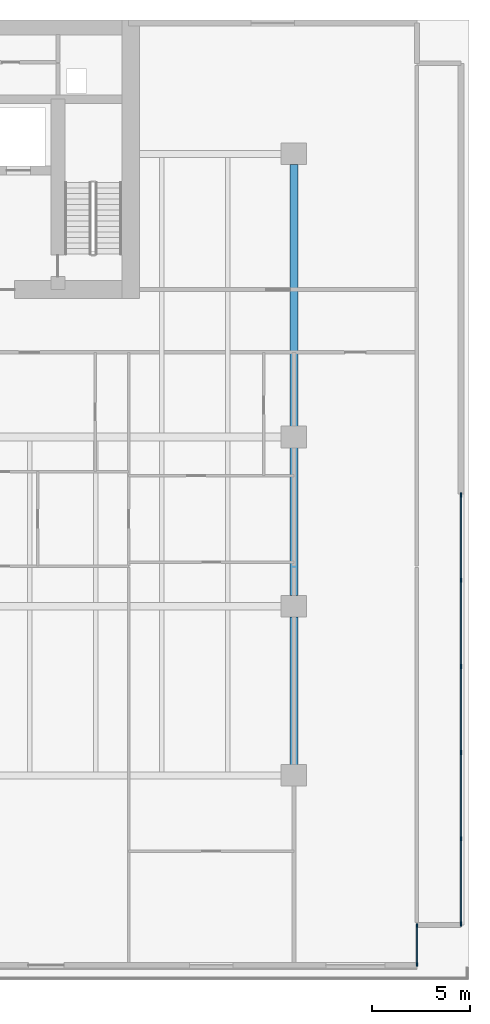
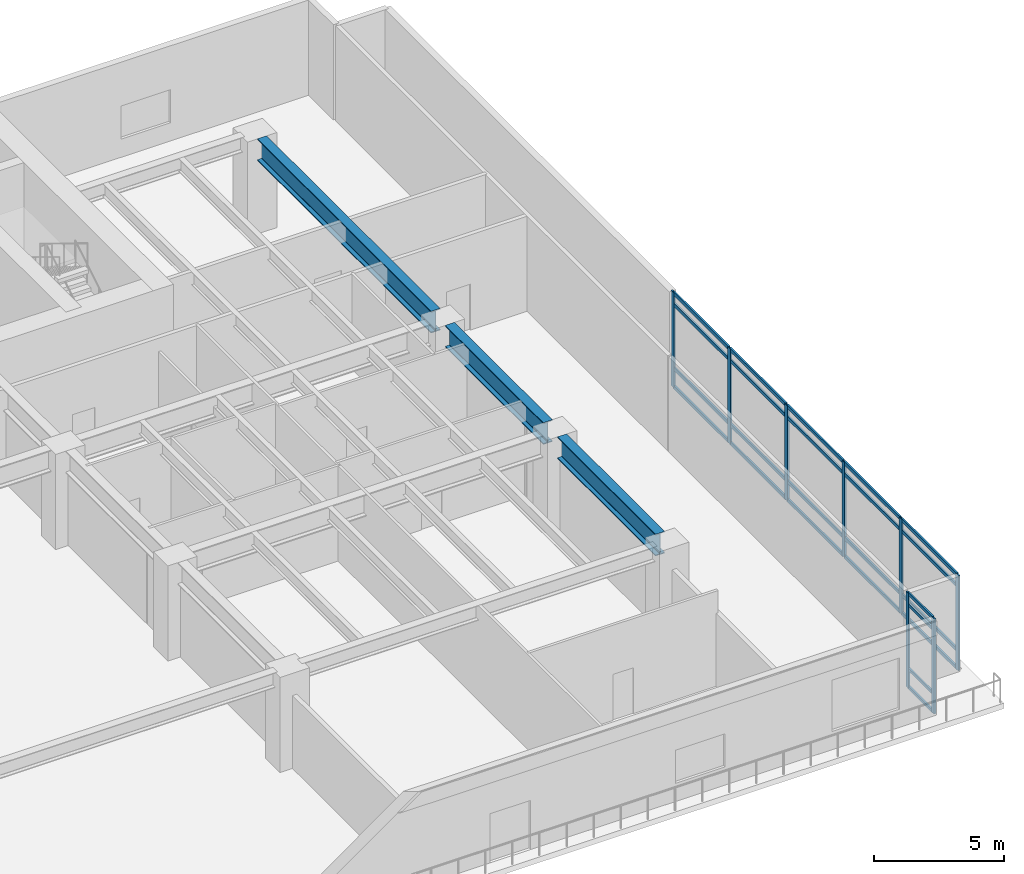
# One storey, part 4 of 13: 32 members, 3 beams, 2 elements without a shape of their own.
"""IFC4 building model written with IfcOpenShell, lengths in metres."""

from ifc_helpers import new_model, si_unit, direction, frame, origin, origin_2d, place, context, subcontext, project, spatial, rectangle, i_section, extrude, material, layer, layer_set, material_profile, profile_set, type_object, element, aggregate, save


model = new_model("IFC4")

# Units and contexts
model_context = context("Model", 3, precision=1e-05, world=origin(), true_north=direction((0.0, 1.0)))
body_context = subcontext(model_context, "Body", "Model", "MODEL_VIEW")
ifc_project = project(units=[si_unit("LENGTHUNIT", "METRE"), si_unit("AREAUNIT", "SQUARE_METRE"), si_unit("VOLUMEUNIT", "CUBIC_METRE"), si_unit("PLANEANGLEUNIT", "RADIAN"), si_unit("MASSUNIT", "GRAM", prefix="KILO")], contexts=[model_context])

# Site, building, storey
site_placement = place(None, origin())
site = spatial("IfcSite", under=ifc_project, at=site_placement, CompositionType="ELEMENT")
building_placement = place(site_placement, origin())
building = spatial("IfcBuilding", under=site, at=building_placement, Name="Caelmar Bay Residences", CompositionType="ELEMENT")
storey_placement = place(building_placement, frame((0.0, 0.0, 19.800048828125)))
storey = spatial("IfcBuildingStorey", under=building, at=storey_placement, Name="L04", CompositionType="ELEMENT", Elevation=19.800048828125)

# Beams
ifc_material_1 = material(Name="Steel ASTM A992 Grade 50", Category="steel")
ifc_material_profile_1 = material_profile(ifc_material_1, i_section(OverallWidth=0.404052734375, OverallDepth=1.02099609375, WebThickness=0.025390625, FlangeThickness=0.0458984375, FilletRadius=0.02294921875, at=origin_2d()), Name="W40X324")
ifc_profile_set_1 = profile_set([ifc_material_profile_1], Name="Steel ASTM A992 Grade 50")
beam_type = type_object("IfcBeamType", Name="BM-GRD-W40X324", PredefinedType="BEAM", material=ifc_profile_set_1)
for number, where, z_axis, x_axis, name in (
    (1, (67.89990234375, 12.739990234375, 3.939453125), (0.0, 1.0, 0.0), (-1.0, 0.0, 0.0), "L04 North-South Girder X=67.90 (12.2-20.8)"),
    (2, (67.89990234375, 21.340087890625, 3.939453125), (0.0, 1.0, 0.0), (-1.0, 0.0, 0.0), "L04 North-South Girder X=67.90 (20.8-29.4)"),
):
    element("IfcBeam", number, at=place(storey_placement, frame(where, z_axis=z_axis, x_axis=x_axis)), inside=storey, type_object=beam_type, Name=name, PredefinedType="BEAM", context=body_context, shape_type="SweptSolid", body=[
        extrude(i_section(OverallWidth=0.404052734375, OverallDepth=1.02099609375, WebThickness=0.025390625, FlangeThickness=0.0458984375, FilletRadius=0.02294921875, at=origin_2d()), origin(), (0.0, 0.0, 1.0), 7.52001953125),
    ])
beam_placement = place(storey_placement, frame((67.89990234375, 29.93994140625, 3.939453125), z_axis=(0.0, 1.0, 0.0), x_axis=(-1.0, 0.0, 0.0)))
element("IfcBeam", 3, at=beam_placement, inside=storey, type_object=beam_type, Name="L04 North-South Girder X=67.90 (29.4-43.8)", PredefinedType="BEAM", context=body_context, shape_type="SweptSolid", body=[
    extrude(i_section(OverallWidth=0.404052734375, OverallDepth=1.02099609375, WebThickness=0.025390625, FlangeThickness=0.0458984375, FilletRadius=0.02294921875, at=origin_2d()), origin(), (0.0, 0.0, 1.0), 13.320068359375),
])

# Curtain wall, members
ifc_material_2 = material(Name="Anodised bronze aluminium 6063-T6 and laminated glass", Category="aluminium")
ifc_layer_1 = layer(ifc_material_2, 0.179931640625)
ifc_layer_set_1 = layer_set([ifc_layer_1], Name="Anodised bronze aluminium 6063-T6 and laminated glass")
curtain_wall_type_1 = type_object("IfcCurtainWallType", Name="CW6-NTC", PredefinedType="NOTDEFINED", material=ifc_layer_set_1)
curtain_wall_1_placement = place(storey_placement, origin())
curtain_wall_1 = element("IfcCurtainWall", 4, at=curtain_wall_1_placement, inside=storey, type_object=curtain_wall_type_1, Name="CW6 curtain wall L04", PredefinedType="NOTDEFINED")
ifc_material_3 = material(Name="Anodised bronze aluminium 6063-T6", Category="aluminium")
ifc_material_profile_2 = material_profile(ifc_material_3, rectangle(XDim=0.080078125, YDim=0.179931640625, at=origin_2d()), Name="CWM-80X180")
ifc_profile_set_2 = profile_set([ifc_material_profile_2], Name="Anodised bronze aluminium 6063-T6")
member_type_1 = type_object("IfcMemberType", Name="CWM-180", PredefinedType="MULLION", material=ifc_profile_set_2)
member_1_placement = place(storey_placement, frame((74.14990234375, 2.590087890625, 0.0), z_axis=(0.0, 0.0, 1.0), x_axis=(-1.0, 0.0, 0.0)))
member_1 = element("IfcMember", 5, at=member_1_placement, type_object=member_type_1, Name="CW6 mullion 1", PredefinedType="MULLION", context=body_context, shape_type="SweptSolid", body=[
    extrude(rectangle(XDim=0.080078125, YDim=0.179931640625, at=origin_2d()), origin(), (0.0, 0.0, 1.0), 4.449951171875),
])
member_2_placement = place(storey_placement, frame((74.14990234375, 4.56005859375, 0.0), z_axis=(0.0, 0.0, 1.0), x_axis=(-1.0, 0.0, 0.0)))
member_2 = element("IfcMember", 6, at=member_2_placement, type_object=member_type_1, Name="CW6 mullion 2", PredefinedType="MULLION", context=body_context, shape_type="SweptSolid", body=[
    extrude(rectangle(XDim=0.080078125, YDim=0.179931640625, at=origin_2d()), origin(), (0.0, 0.0, 1.0), 4.449951171875),
])

ifc_layer_2 = layer(ifc_material_2, 0.179931640625)
ifc_layer_set_2 = layer_set([ifc_layer_2], Name="Anodised bronze aluminium 6063-T6 and laminated glass")
curtain_wall_type_2 = type_object("IfcCurtainWallType", Name="CW1-POD", PredefinedType="NOTDEFINED", material=ifc_layer_set_2)
curtain_wall_2_placement = place(storey_placement, origin())
curtain_wall_2 = element("IfcCurtainWall", 7, at=curtain_wall_2_placement, inside=storey, type_object=curtain_wall_type_2, Name="CW1 curtain wall L04", PredefinedType="NOTDEFINED")
ifc_material_profile_3 = material_profile(ifc_material_3, rectangle(XDim=0.080078125, YDim=0.219970703125, at=origin_2d()), Name="CWM-80X220")
ifc_profile_set_3 = profile_set([ifc_material_profile_3], Name="Anodised bronze aluminium 6063-T6")
member_type_2 = type_object("IfcMemberType", Name="CWM-220", PredefinedType="MULLION", material=ifc_profile_set_3)
member_3_placement = place(storey_placement, frame((76.39990234375, 26.4599609375, 0.0), z_axis=(0.0, 0.0, 1.0), x_axis=(1.0, 0.0, 0.0)))
member_3 = element("IfcMember", 8, at=member_3_placement, type_object=member_type_2, Name="CW1 mullion 1", PredefinedType="MULLION", context=body_context, shape_type="SweptSolid", body=[
    extrude(rectangle(XDim=0.080078125, YDim=0.219970703125, at=origin_2d()), origin(), (0.0, 0.0, 1.0), 4.449951171875),
])
member_4_placement = place(storey_placement, frame((76.39990234375, 22.1201171875, 0.0), z_axis=(0.0, 0.0, 1.0), x_axis=(1.0, 0.0, 0.0)))
member_4 = element("IfcMember", 9, at=member_4_placement, type_object=member_type_2, Name="CW1 mullion 2", PredefinedType="MULLION", context=body_context, shape_type="SweptSolid", body=[
    extrude(rectangle(XDim=0.080078125, YDim=0.219970703125, at=origin_2d()), origin(), (0.0, 0.0, 1.0), 4.449951171875),
])
member_5_placement = place(storey_placement, frame((76.39990234375, 17.739990234375, 0.0), z_axis=(0.0, 0.0, 1.0), x_axis=(1.0, 0.0, 0.0)))
member_5 = element("IfcMember", 10, at=member_5_placement, type_object=member_type_2, Name="CW1 mullion 3", PredefinedType="MULLION", context=body_context, shape_type="SweptSolid", body=[
    extrude(rectangle(XDim=0.080078125, YDim=0.219970703125, at=origin_2d()), origin(), (0.0, 0.0, 1.0), 4.449951171875),
])
member_6_placement = place(storey_placement, frame((76.39990234375, 13.360107421875, 0.0), z_axis=(0.0, 0.0, 1.0), x_axis=(1.0, 0.0, 0.0)))
member_6 = element("IfcMember", 11, at=member_6_placement, type_object=member_type_2, Name="CW1 mullion 4", PredefinedType="MULLION", context=body_context, shape_type="SweptSolid", body=[
    extrude(rectangle(XDim=0.080078125, YDim=0.219970703125, at=origin_2d()), origin(), (0.0, 0.0, 1.0), 4.449951171875),
])
member_7_placement = place(storey_placement, frame((76.39990234375, 8.97998046875, 0.0), z_axis=(0.0, 0.0, 1.0), x_axis=(1.0, 0.0, 0.0)))
member_7 = element("IfcMember", 12, at=member_7_placement, type_object=member_type_2, Name="CW1 mullion 5", PredefinedType="MULLION", context=body_context, shape_type="SweptSolid", body=[
    extrude(rectangle(XDim=0.080078125, YDim=0.219970703125, at=origin_2d()), origin(), (0.0, 0.0, 1.0), 4.449951171875),
])
member_8_placement = place(storey_placement, frame((76.39990234375, 4.639892578125, 0.0), z_axis=(0.0, 0.0, 1.0), x_axis=(1.0, 0.0, 0.0)))
member_8 = element("IfcMember", 13, at=member_8_placement, type_object=member_type_2, Name="CW1 mullion 6", PredefinedType="MULLION", context=body_context, shape_type="SweptSolid", body=[
    extrude(rectangle(XDim=0.080078125, YDim=0.219970703125, at=origin_2d()), origin(), (0.0, 0.0, 1.0), 4.449951171875),
])

# Member
ifc_material_profile_4 = material_profile(ifc_material_3, rectangle(XDim=0.080078125, YDim=0.139892578125, at=origin_2d()), Name="CWT-80X140")
ifc_profile_set_4 = profile_set([ifc_material_profile_4], Name="Anodised bronze aluminium 6063-T6")
member_type_3 = type_object("IfcMemberType", Name="CWT-140", PredefinedType="NOTDEFINED", material=ifc_profile_set_4)
member_9_placement = place(storey_placement, frame((74.14990234375, 2.6298828125, 0.0400390625), z_axis=(0.0, 1.0, 0.0), x_axis=(-1.0, 0.0, 0.0)))
member_9 = element("IfcMember", 14, at=member_9_placement, type_object=member_type_3, Name="CW6 transom 1.1", ObjectType="TRANSOM", PredefinedType="USERDEFINED", context=body_context, shape_type="SweptSolid", body=[
    extrude(rectangle(XDim=0.080078125, YDim=0.139892578125, at=origin_2d()), origin(), (0.0, 0.0, 1.0), 1.89013671875),
])

member_10_placement = place(storey_placement, frame((74.14990234375, 2.6298828125, 0.89990234375), z_axis=(0.0, 1.0, 0.0), x_axis=(-1.0, 0.0, 0.0)))
member_10 = element("IfcMember", 15, at=member_10_placement, type_object=member_type_3, Name="CW6 transom 1.2", ObjectType="TRANSOM", PredefinedType="USERDEFINED", context=body_context, shape_type="SweptSolid", body=[
    extrude(rectangle(XDim=0.080078125, YDim=0.139892578125, at=origin_2d()), origin(), (0.0, 0.0, 1.0), 1.89013671875),
])

member_11_placement = place(storey_placement, frame((74.14990234375, 2.6298828125, 3.89990234375), z_axis=(0.0, 1.0, 0.0), x_axis=(-1.0, 0.0, 0.0)))
member_11 = element("IfcMember", 16, at=member_11_placement, type_object=member_type_3, Name="CW6 transom 1.3", ObjectType="TRANSOM", PredefinedType="USERDEFINED", context=body_context, shape_type="SweptSolid", body=[
    extrude(rectangle(XDim=0.080078125, YDim=0.139892578125, at=origin_2d()), origin(), (0.0, 0.0, 1.0), 1.89013671875),
])

member_12_placement = place(storey_placement, frame((74.14990234375, 2.6298828125, 4.409912109375), z_axis=(0.0, 1.0, 0.0), x_axis=(-1.0, 0.0, 0.0)))
member_12 = element("IfcMember", 17, at=member_12_placement, type_object=member_type_3, Name="CW6 transom 1.4", ObjectType="TRANSOM", PredefinedType="USERDEFINED", context=body_context, shape_type="SweptSolid", body=[
    extrude(rectangle(XDim=0.080078125, YDim=0.139892578125, at=origin_2d()), origin(), (0.0, 0.0, 1.0), 1.89013671875),
])

aggregate(curtain_wall_1, [member_1, member_2, member_9, member_10, member_11, member_12])

ifc_material_profile_5 = material_profile(ifc_material_3, rectangle(XDim=0.080078125, YDim=0.159912109375, at=origin_2d()), Name="CWT-80X160")
ifc_profile_set_5 = profile_set([ifc_material_profile_5], Name="Anodised bronze aluminium 6063-T6")
member_type_4 = type_object("IfcMemberType", Name="CWT-160", PredefinedType="NOTDEFINED", material=ifc_profile_set_5)
member_13_placement = place(storey_placement, frame((76.39990234375, 26.419921875, 0.0400390625), z_axis=(0.0, -1.0, 0.0), x_axis=(1.0, 0.0, 0.0)))
member_13 = element("IfcMember", 18, at=member_13_placement, type_object=member_type_4, Name="CW1 transom 1.1", ObjectType="TRANSOM", PredefinedType="USERDEFINED", context=body_context, shape_type="SweptSolid", body=[
    extrude(rectangle(XDim=0.080078125, YDim=0.159912109375, at=origin_2d()), origin(), (0.0, 0.0, 1.0), 4.260009765625),
])

member_14_placement = place(storey_placement, frame((76.39990234375, 26.419921875, 0.89990234375), z_axis=(0.0, -1.0, 0.0), x_axis=(1.0, 0.0, 0.0)))
member_14 = element("IfcMember", 19, at=member_14_placement, type_object=member_type_4, Name="CW1 transom 1.2", ObjectType="TRANSOM", PredefinedType="USERDEFINED", context=body_context, shape_type="SweptSolid", body=[
    extrude(rectangle(XDim=0.080078125, YDim=0.159912109375, at=origin_2d()), origin(), (0.0, 0.0, 1.0), 4.260009765625),
])

member_15_placement = place(storey_placement, frame((76.39990234375, 26.419921875, 3.89990234375), z_axis=(0.0, -1.0, 0.0), x_axis=(1.0, 0.0, 0.0)))
member_15 = element("IfcMember", 20, at=member_15_placement, type_object=member_type_4, Name="CW1 transom 1.3", ObjectType="TRANSOM", PredefinedType="USERDEFINED", context=body_context, shape_type="SweptSolid", body=[
    extrude(rectangle(XDim=0.080078125, YDim=0.159912109375, at=origin_2d()), origin(), (0.0, 0.0, 1.0), 4.260009765625),
])

member_16_placement = place(storey_placement, frame((76.39990234375, 26.419921875, 4.409912109375), z_axis=(0.0, -1.0, 0.0), x_axis=(1.0, 0.0, 0.0)))
member_16 = element("IfcMember", 21, at=member_16_placement, type_object=member_type_4, Name="CW1 transom 1.4", ObjectType="TRANSOM", PredefinedType="USERDEFINED", context=body_context, shape_type="SweptSolid", body=[
    extrude(rectangle(XDim=0.080078125, YDim=0.159912109375, at=origin_2d()), origin(), (0.0, 0.0, 1.0), 4.260009765625),
])

member_17_placement = place(storey_placement, frame((76.39990234375, 22.080078125, 0.0400390625), z_axis=(0.0, -1.0, 0.0), x_axis=(1.0, 0.0, 0.0)))
member_17 = element("IfcMember", 22, at=member_17_placement, type_object=member_type_4, Name="CW1 transom 2.1", ObjectType="TRANSOM", PredefinedType="USERDEFINED", context=body_context, shape_type="SweptSolid", body=[
    extrude(rectangle(XDim=0.080078125, YDim=0.159912109375, at=origin_2d()), origin(), (0.0, 0.0, 1.0), 4.300048828125),
])

member_18_placement = place(storey_placement, frame((76.39990234375, 22.080078125, 0.89990234375), z_axis=(0.0, -1.0, 0.0), x_axis=(1.0, 0.0, 0.0)))
member_18 = element("IfcMember", 23, at=member_18_placement, type_object=member_type_4, Name="CW1 transom 2.2", ObjectType="TRANSOM", PredefinedType="USERDEFINED", context=body_context, shape_type="SweptSolid", body=[
    extrude(rectangle(XDim=0.080078125, YDim=0.159912109375, at=origin_2d()), origin(), (0.0, 0.0, 1.0), 4.300048828125),
])

member_19_placement = place(storey_placement, frame((76.39990234375, 22.080078125, 3.89990234375), z_axis=(0.0, -1.0, 0.0), x_axis=(1.0, 0.0, 0.0)))
member_19 = element("IfcMember", 24, at=member_19_placement, type_object=member_type_4, Name="CW1 transom 2.3", ObjectType="TRANSOM", PredefinedType="USERDEFINED", context=body_context, shape_type="SweptSolid", body=[
    extrude(rectangle(XDim=0.080078125, YDim=0.159912109375, at=origin_2d()), origin(), (0.0, 0.0, 1.0), 4.300048828125),
])

member_20_placement = place(storey_placement, frame((76.39990234375, 22.080078125, 4.409912109375), z_axis=(0.0, -1.0, 0.0), x_axis=(1.0, 0.0, 0.0)))
member_20 = element("IfcMember", 25, at=member_20_placement, type_object=member_type_4, Name="CW1 transom 2.4", ObjectType="TRANSOM", PredefinedType="USERDEFINED", context=body_context, shape_type="SweptSolid", body=[
    extrude(rectangle(XDim=0.080078125, YDim=0.159912109375, at=origin_2d()), origin(), (0.0, 0.0, 1.0), 4.300048828125),
])

member_21_placement = place(storey_placement, frame((76.39990234375, 17.699951171875, 0.0400390625), z_axis=(0.0, -1.0, 0.0), x_axis=(1.0, 0.0, 0.0)))
member_21 = element("IfcMember", 26, at=member_21_placement, type_object=member_type_4, Name="CW1 transom 3.1", ObjectType="TRANSOM", PredefinedType="USERDEFINED", context=body_context, shape_type="SweptSolid", body=[
    extrude(rectangle(XDim=0.080078125, YDim=0.159912109375, at=origin_2d()), origin(), (0.0, 0.0, 1.0), 4.300048828125),
])

member_22_placement = place(storey_placement, frame((76.39990234375, 17.699951171875, 0.89990234375), z_axis=(0.0, -1.0, 0.0), x_axis=(1.0, 0.0, 0.0)))
member_22 = element("IfcMember", 27, at=member_22_placement, type_object=member_type_4, Name="CW1 transom 3.2", ObjectType="TRANSOM", PredefinedType="USERDEFINED", context=body_context, shape_type="SweptSolid", body=[
    extrude(rectangle(XDim=0.080078125, YDim=0.159912109375, at=origin_2d()), origin(), (0.0, 0.0, 1.0), 4.300048828125),
])

member_23_placement = place(storey_placement, frame((76.39990234375, 17.699951171875, 3.89990234375), z_axis=(0.0, -1.0, 0.0), x_axis=(1.0, 0.0, 0.0)))
member_23 = element("IfcMember", 28, at=member_23_placement, type_object=member_type_4, Name="CW1 transom 3.3", ObjectType="TRANSOM", PredefinedType="USERDEFINED", context=body_context, shape_type="SweptSolid", body=[
    extrude(rectangle(XDim=0.080078125, YDim=0.159912109375, at=origin_2d()), origin(), (0.0, 0.0, 1.0), 4.300048828125),
])

member_24_placement = place(storey_placement, frame((76.39990234375, 17.699951171875, 4.409912109375), z_axis=(0.0, -1.0, 0.0), x_axis=(1.0, 0.0, 0.0)))
member_24 = element("IfcMember", 29, at=member_24_placement, type_object=member_type_4, Name="CW1 transom 3.4", ObjectType="TRANSOM", PredefinedType="USERDEFINED", context=body_context, shape_type="SweptSolid", body=[
    extrude(rectangle(XDim=0.080078125, YDim=0.159912109375, at=origin_2d()), origin(), (0.0, 0.0, 1.0), 4.300048828125),
])

member_25_placement = place(storey_placement, frame((76.39990234375, 13.320068359375, 0.0400390625), z_axis=(0.0, -1.0, 0.0), x_axis=(1.0, 0.0, 0.0)))
member_25 = element("IfcMember", 30, at=member_25_placement, type_object=member_type_4, Name="CW1 transom 4.1", ObjectType="TRANSOM", PredefinedType="USERDEFINED", context=body_context, shape_type="SweptSolid", body=[
    extrude(rectangle(XDim=0.080078125, YDim=0.159912109375, at=origin_2d()), origin(), (0.0, 0.0, 1.0), 4.300048828125),
])

member_26_placement = place(storey_placement, frame((76.39990234375, 13.320068359375, 0.89990234375), z_axis=(0.0, -1.0, 0.0), x_axis=(1.0, 0.0, 0.0)))
member_26 = element("IfcMember", 31, at=member_26_placement, type_object=member_type_4, Name="CW1 transom 4.2", ObjectType="TRANSOM", PredefinedType="USERDEFINED", context=body_context, shape_type="SweptSolid", body=[
    extrude(rectangle(XDim=0.080078125, YDim=0.159912109375, at=origin_2d()), origin(), (0.0, 0.0, 1.0), 4.300048828125),
])

member_27_placement = place(storey_placement, frame((76.39990234375, 13.320068359375, 3.89990234375), z_axis=(0.0, -1.0, 0.0), x_axis=(1.0, 0.0, 0.0)))
member_27 = element("IfcMember", 32, at=member_27_placement, type_object=member_type_4, Name="CW1 transom 4.3", ObjectType="TRANSOM", PredefinedType="USERDEFINED", context=body_context, shape_type="SweptSolid", body=[
    extrude(rectangle(XDim=0.080078125, YDim=0.159912109375, at=origin_2d()), origin(), (0.0, 0.0, 1.0), 4.300048828125),
])

member_28_placement = place(storey_placement, frame((76.39990234375, 13.320068359375, 4.409912109375), z_axis=(0.0, -1.0, 0.0), x_axis=(1.0, 0.0, 0.0)))
member_28 = element("IfcMember", 33, at=member_28_placement, type_object=member_type_4, Name="CW1 transom 4.4", ObjectType="TRANSOM", PredefinedType="USERDEFINED", context=body_context, shape_type="SweptSolid", body=[
    extrude(rectangle(XDim=0.080078125, YDim=0.159912109375, at=origin_2d()), origin(), (0.0, 0.0, 1.0), 4.300048828125),
])

member_29_placement = place(storey_placement, frame((76.39990234375, 8.93994140625, 0.0400390625), z_axis=(0.0, -1.0, 0.0), x_axis=(1.0, 0.0, 0.0)))
member_29 = element("IfcMember", 34, at=member_29_placement, type_object=member_type_4, Name="CW1 transom 5.1", ObjectType="TRANSOM", PredefinedType="USERDEFINED", context=body_context, shape_type="SweptSolid", body=[
    extrude(rectangle(XDim=0.080078125, YDim=0.159912109375, at=origin_2d()), origin(), (0.0, 0.0, 1.0), 4.260009765625),
])

member_30_placement = place(storey_placement, frame((76.39990234375, 8.93994140625, 0.89990234375), z_axis=(0.0, -1.0, 0.0), x_axis=(1.0, 0.0, 0.0)))
member_30 = element("IfcMember", 35, at=member_30_placement, type_object=member_type_4, Name="CW1 transom 5.2", ObjectType="TRANSOM", PredefinedType="USERDEFINED", context=body_context, shape_type="SweptSolid", body=[
    extrude(rectangle(XDim=0.080078125, YDim=0.159912109375, at=origin_2d()), origin(), (0.0, 0.0, 1.0), 4.260009765625),
])

member_31_placement = place(storey_placement, frame((76.39990234375, 8.93994140625, 3.89990234375), z_axis=(0.0, -1.0, 0.0), x_axis=(1.0, 0.0, 0.0)))
member_31 = element("IfcMember", 36, at=member_31_placement, type_object=member_type_4, Name="CW1 transom 5.3", ObjectType="TRANSOM", PredefinedType="USERDEFINED", context=body_context, shape_type="SweptSolid", body=[
    extrude(rectangle(XDim=0.080078125, YDim=0.159912109375, at=origin_2d()), origin(), (0.0, 0.0, 1.0), 4.260009765625),
])

member_32_placement = place(storey_placement, frame((76.39990234375, 8.93994140625, 4.409912109375), z_axis=(0.0, -1.0, 0.0), x_axis=(1.0, 0.0, 0.0)))
member_32 = element("IfcMember", 37, at=member_32_placement, type_object=member_type_4, Name="CW1 transom 5.4", ObjectType="TRANSOM", PredefinedType="USERDEFINED", context=body_context, shape_type="SweptSolid", body=[
    extrude(rectangle(XDim=0.080078125, YDim=0.159912109375, at=origin_2d()), origin(), (0.0, 0.0, 1.0), 4.260009765625),
])

aggregate(curtain_wall_2, [member_3, member_4, member_5, member_6, member_7, member_8, member_13, member_14, member_15, member_16, member_17, member_18, member_19, member_20, member_21, member_22, member_23, member_24, member_25, member_26, member_27, member_28, member_29, member_30, member_31, member_32])

save(model, "model.ifc")
